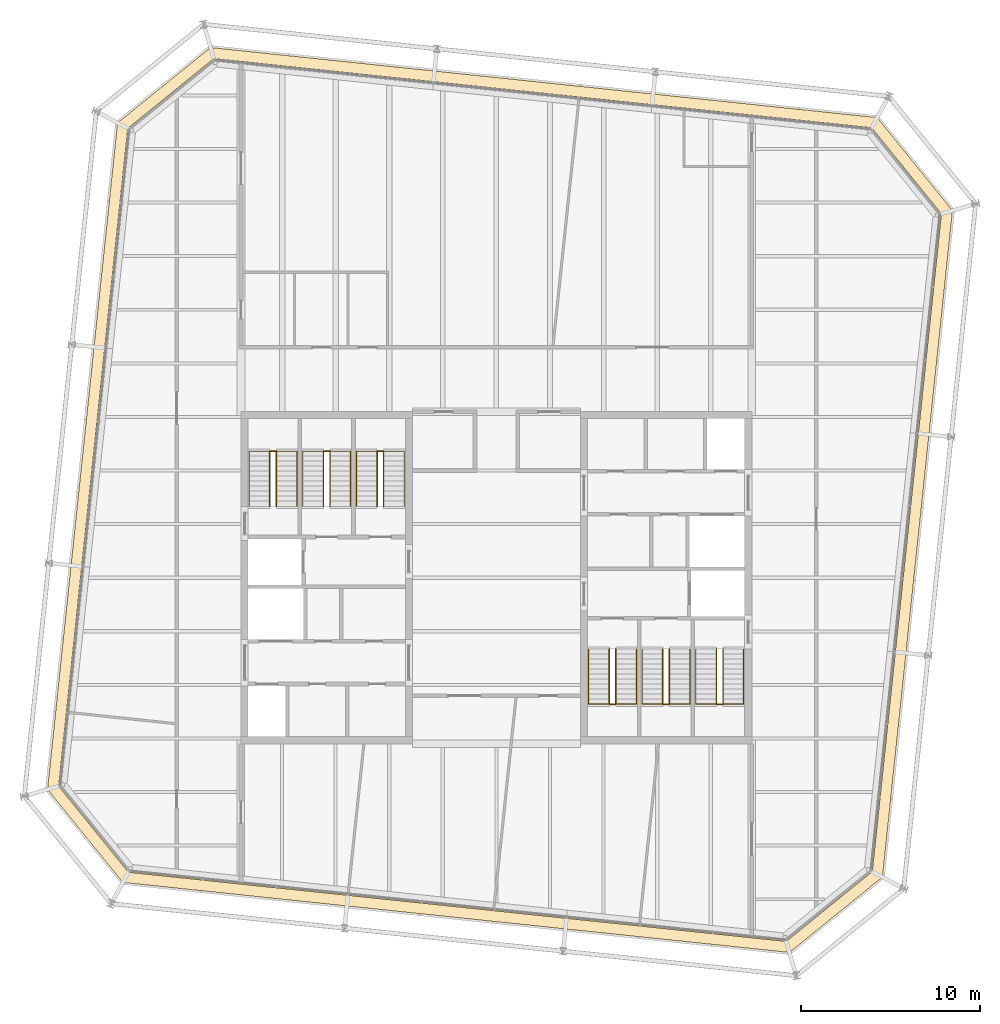
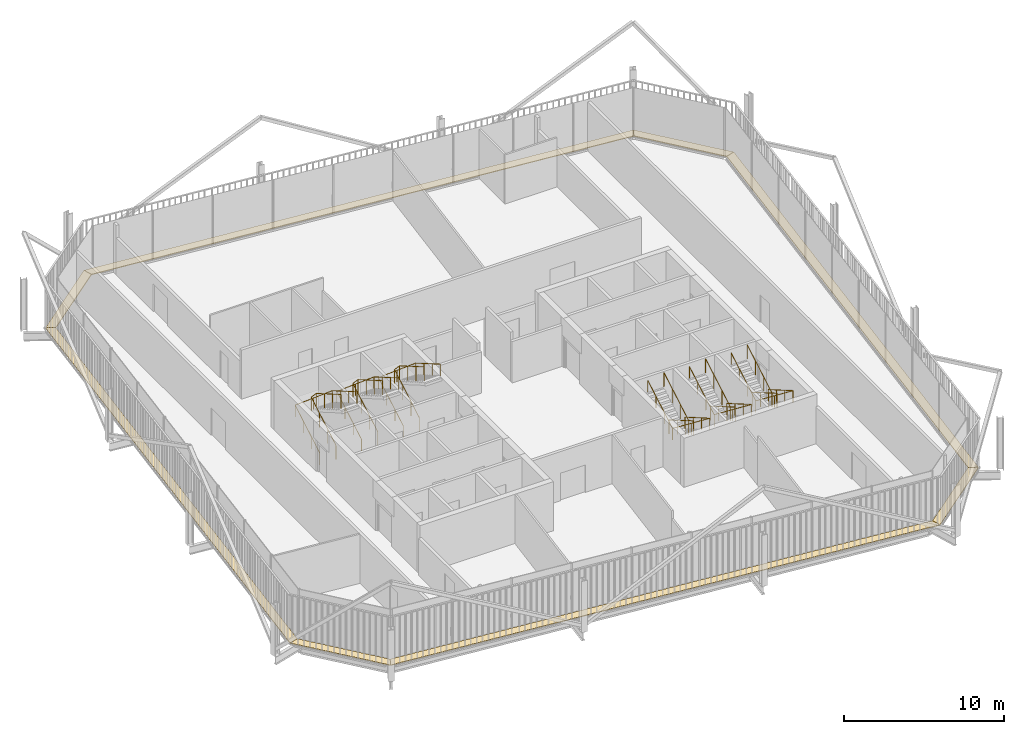
# One storey, part 21 of 21: 12 railings, 8 coverings.
"""IFC4 building model written with IfcOpenShell, lengths in metres."""

from ifc_helpers import new_model, si_unit, direction, frame, origin, origin_2d, place, context, subcontext, project, spatial, polyline, circle, outline, extrude, material, layer, layer_set, type_object, element, save


model = new_model("IFC4")

# Units and contexts
model_context = context("Model", 3, precision=1e-05, world=origin(), true_north=direction((0.0, 1.0)))
body_context = subcontext(model_context, "Body", "Model", "MODEL_VIEW")
ifc_project = project(units=[si_unit("LENGTHUNIT", "METRE"), si_unit("AREAUNIT", "SQUARE_METRE"), si_unit("VOLUMEUNIT", "CUBIC_METRE"), si_unit("PLANEANGLEUNIT", "RADIAN"), si_unit("MASSUNIT", "GRAM", prefix="KILO")], contexts=[model_context])

# Site, building, storey
site_placement = place(None, origin())
site = spatial("IfcSite", under=ifc_project, at=site_placement, CompositionType="ELEMENT")
building_placement = place(site_placement, origin())
building = spatial("IfcBuilding", under=site, at=building_placement, Name="Millrace Tower", CompositionType="ELEMENT")
storey_placement = place(building_placement, frame((0.0, 0.0, 291.60009765625)))
storey = spatial("IfcBuildingStorey", under=building, at=storey_placement, Name="L67", CompositionType="ELEMENT", Elevation=291.60009765625)

# Coverings
ifc_material_1 = material(Name="Steel ASTM A36", Category="steel")
ifc_layer = layer(ifc_material_1, 0.050048828125)
ifc_layer_set = layer_set([ifc_layer], Name="Steel ASTM A36")
covering_type = type_object("IfcCoveringType", Name="CAVITY CATWALK steel grating", PredefinedType="FLOORING", material=ifc_layer_set)
placement = place(storey_placement, frame((0.0, 0.0, 0.099853515625)))
element("IfcCovering", 1, at=placement, inside=storey, type_object=covering_type, Name="Cavity catwalk grating E-F01 L67 1", PredefinedType="FLOORING", context=body_context, shape_type="SweptSolid", body=[
    extrude(outline(polyline([(-25.13232421875, -11.8515625), (-20.914306640625, -17.060302734375), (-20.6044921875, -16.489501953125), (-24.509521484375, -11.6669921875), (-25.13232421875, -11.8515625)])), origin(), (0.0, 0.0, 1.0), 0.050048828125),
])
element("IfcCovering", 2, at=placement, inside=storey, type_object=covering_type, Name="Cavity catwalk grating E-F02 L67 1", PredefinedType="FLOORING", context=body_context, shape_type="SweptSolid", body=[
    extrude(outline(polyline([(-20.914306640625, -17.060302734375), (16.4013671875, -20.982177734375), (16.217041015625, -20.359619140625), (-20.6044921875, -16.489501953125), (-20.914306640625, -17.060302734375)])), origin(), (0.0, 0.0, 1.0), 0.050048828125),
])
element("IfcCovering", 3, at=placement, inside=storey, type_object=covering_type, Name="Cavity catwalk grating E-F03 L67 1", PredefinedType="FLOORING", context=body_context, shape_type="SweptSolid", body=[
    extrude(outline(polyline([(16.4013671875, -20.982177734375), (21.6103515625, -16.764404296875), (21.03955078125, -16.454345703125), (16.217041015625, -20.359619140625), (16.4013671875, -20.982177734375)])), origin(), (0.0, 0.0, 1.0), 0.050048828125),
])
element("IfcCovering", 4, at=placement, inside=storey, type_object=covering_type, Name="Cavity catwalk grating E-F04 L67 1", PredefinedType="FLOORING", context=body_context, shape_type="SweptSolid", body=[
    extrude(outline(polyline([(21.6103515625, -16.764404296875), (25.5322265625, 20.551513671875), (24.90966796875, 20.366943359375), (21.03955078125, -16.454345703125), (21.6103515625, -16.764404296875)])), origin(), (0.0, 0.0, 1.0), 0.050048828125),
])
element("IfcCovering", 5, at=placement, inside=storey, type_object=covering_type, Name="Cavity catwalk grating E-F05 L67 1", PredefinedType="FLOORING", context=body_context, shape_type="SweptSolid", body=[
    extrude(outline(polyline([(25.5322265625, 20.551513671875), (21.314208984375, 25.76025390625), (21.00439453125, 25.189453125), (24.90966796875, 20.366943359375), (25.5322265625, 20.551513671875)])), origin(), (0.0, 0.0, 1.0), 0.050048828125),
])
element("IfcCovering", 6, at=placement, inside=storey, type_object=covering_type, Name="Cavity catwalk grating E-F06 L67 1", PredefinedType="FLOORING", context=body_context, shape_type="SweptSolid", body=[
    extrude(outline(polyline([(21.314208984375, 25.76025390625), (-16.00146484375, 29.682373046875), (-15.817138671875, 29.0595703125), (21.00439453125, 25.189453125), (21.314208984375, 25.76025390625)])), origin(), (0.0, 0.0, 1.0), 0.050048828125),
])
element("IfcCovering", 7, at=placement, inside=storey, type_object=covering_type, Name="Cavity catwalk grating E-F07 L67 1", PredefinedType="FLOORING", context=body_context, shape_type="SweptSolid", body=[
    extrude(outline(polyline([(-16.00146484375, 29.682373046875), (-21.210205078125, 25.46435546875), (-20.639404296875, 25.154541015625), (-15.817138671875, 29.0595703125), (-16.00146484375, 29.682373046875)])), origin(), (0.0, 0.0, 1.0), 0.050048828125),
])
element("IfcCovering", 8, at=placement, inside=storey, type_object=covering_type, Name="Cavity catwalk grating E-F08 L67 1", PredefinedType="FLOORING", context=body_context, shape_type="SweptSolid", body=[
    extrude(outline(polyline([(-21.210205078125, 25.46435546875), (-25.13232421875, -11.8515625), (-24.509521484375, -11.6669921875), (-20.639404296875, 25.154541015625), (-21.210205078125, 25.46435546875)])), origin(), (0.0, 0.0, 1.0), 0.050048828125),
])

# Railings
ifc_material_2 = material(Name="Stainless steel ASTM A240 type 316", Category="steel")
railing_type_1 = type_object("IfcRailingType", Name="Stair guard 1100", PredefinedType="GUARDRAIL", material=ifc_material_2)
for number, where, name in (
    (9, (-12.679931640625, 4.0, 0.162353515625), "Stair guard 1 W L67"),
    (10, (-9.679931640625, 4.0, 0.162353515625), "Stair guard 2 W L67"),
    (11, (-6.679931640625, 4.0, 0.162353515625), "Stair guard 3 W L67"),
):
    element("IfcRailing", number, at=place(storey_placement, frame(where)), inside=storey, type_object=railing_type_1, Name=name, PredefinedType="GUARDRAIL", context=body_context, shape_type="SweptSolid", body=[
        extrude(circle(Radius=0.02392578125, at=origin_2d()), frame((0.0, 0.0, 1.076171875), z_axis=(0.0, 0.864890721111, 0.501960198159), x_axis=(-1.0, 0.0, 0.0)), (0.0, 0.0, 1.0), 3.561279296875),
        extrude(circle(Radius=0.02392578125, at=origin_2d()), frame((0.0, 3.080078125, 2.86376953125), z_axis=(0.91152767309, 0.0, 0.411238739895), x_axis=(0.0, 1.0, 0.0)), (0.0, 0.0, 1.0), 0.394775390625),
        extrude(circle(Radius=0.02392578125, at=origin_2d()), frame((0.35986328125, 3.080078125, 3.02587890625), z_axis=(0.0, -0.864890721111, 0.501960198159), x_axis=(1.0, 0.0, 0.0)), (0.0, 0.0, 1.0), 3.561279296875),
        extrude(circle(Radius=0.02099609375, at=origin_2d()), origin(), (0.0, 0.0, 1.0), 1.052001953125),
        extrude(circle(Radius=0.02099609375, at=origin_2d()), frame((0.0, 1.026611328125, 0.595947265625)), (0.0, 0.0, 1.0), 1.052001953125),
        extrude(circle(Radius=0.02099609375, at=origin_2d()), frame((0.0, 2.053466796875, 1.191650390625)), (0.0, 0.0, 1.0), 1.052001953125),
        extrude(circle(Radius=0.02099609375, at=origin_2d()), frame((0.0, 3.080078125, 1.78759765625)), (0.0, 0.0, 1.0), 1.052001953125),
        extrude(circle(Radius=0.02099609375, at=origin_2d()), frame((0.35986328125, 3.080078125, 1.949951171875)), (0.0, 0.0, 1.0), 1.052001953125),
        extrude(circle(Radius=0.02099609375, at=origin_2d()), frame((0.35986328125, 2.053466796875, 2.5458984375)), (0.0, 0.0, 1.0), 1.052001953125),
        extrude(circle(Radius=0.02099609375, at=origin_2d()), frame((0.35986328125, 1.026611328125, 3.1416015625)), (0.0, 0.0, 1.0), 1.052001953125),
        extrude(circle(Radius=0.02099609375, at=origin_2d()), frame((0.35986328125, 0.0, 3.737548828125)), (0.0, 0.0, 1.0), 1.052001953125),
    ])
for number, where, name in (
    (12, (12.679931640625, -4.0, 0.162353515625), "Stair guard 1 E L67"),
    (13, (9.679931640625, -4.0, 0.162353515625), "Stair guard 2 E L67"),
    (14, (6.679931640625, -4.0, 0.162353515625), "Stair guard 3 E L67"),
):
    element("IfcRailing", number, at=place(storey_placement, frame(where)), inside=storey, type_object=railing_type_1, Name=name, PredefinedType="GUARDRAIL", context=body_context, shape_type="SweptSolid", body=[
        extrude(circle(Radius=0.02392578125, at=origin_2d()), frame((0.0, 0.0, 1.076171875), z_axis=(0.0, -0.864890721111, 0.501960198159), x_axis=(1.0, 0.0, 0.0)), (0.0, 0.0, 1.0), 3.561279296875),
        extrude(circle(Radius=0.02392578125, at=origin_2d()), frame((0.0, -3.080078125, 2.86376953125), z_axis=(-0.91152767309, 0.0, 0.411238739895), x_axis=(0.0, -1.0, 0.0)), (0.0, 0.0, 1.0), 0.394775390625),
        extrude(circle(Radius=0.02392578125, at=origin_2d()), frame((-0.35986328125, -3.080078125, 3.02587890625), z_axis=(0.0, 0.864890721111, 0.501960198159), x_axis=(-1.0, 0.0, 0.0)), (0.0, 0.0, 1.0), 3.561279296875),
        extrude(circle(Radius=0.02099609375, at=origin_2d()), origin(), (0.0, 0.0, 1.0), 1.052001953125),
        extrude(circle(Radius=0.02099609375, at=origin_2d()), frame((0.0, -1.026611328125, 0.595947265625)), (0.0, 0.0, 1.0), 1.052001953125),
        extrude(circle(Radius=0.02099609375, at=origin_2d()), frame((0.0, -2.053466796875, 1.191650390625)), (0.0, 0.0, 1.0), 1.052001953125),
        extrude(circle(Radius=0.02099609375, at=origin_2d()), frame((0.0, -3.080078125, 1.78759765625)), (0.0, 0.0, 1.0), 1.052001953125),
        extrude(circle(Radius=0.02099609375, at=origin_2d()), frame((-0.35986328125, -3.080078125, 1.949951171875)), (0.0, 0.0, 1.0), 1.052001953125),
        extrude(circle(Radius=0.02099609375, at=origin_2d()), frame((-0.35986328125, -2.053466796875, 2.5458984375)), (0.0, 0.0, 1.0), 1.052001953125),
        extrude(circle(Radius=0.02099609375, at=origin_2d()), frame((-0.35986328125, -1.026611328125, 3.1416015625)), (0.0, 0.0, 1.0), 1.052001953125),
        extrude(circle(Radius=0.02099609375, at=origin_2d()), frame((-0.35986328125, 0.0, 3.737548828125)), (0.0, 0.0, 1.0), 1.052001953125),
    ])
ifc_material_3 = material(Name="Stainless steel ASTM A240 type 316", Category="steel")
railing_type_2 = type_object("IfcRailingType", Name="Stair handrail 900", PredefinedType="HANDRAIL", material=ifc_material_3)
railing_1_placement = place(storey_placement, frame((-13.840087890625, 4.0, 0.162353515625)))
element("IfcRailing", 15, at=railing_1_placement, inside=storey, type_object=railing_type_2, Name="Stair handrail 1 W L67", PredefinedType="HANDRAIL", context=body_context, shape_type="SweptSolid", body=[
    extrude(circle(Radius=0.02392578125, at=origin_2d()), frame((0.0, 0.0, 0.8759765625), z_axis=(0.0, 0.864890721111, 0.501960198159), x_axis=(-1.0, 0.0, 0.0)), (0.0, 0.0, 1.0), 3.561279296875),
    extrude(circle(Radius=0.02392578125, at=origin_2d()), frame((0.0, 3.080078125, 2.66357421875), z_axis=(0.998170326313, 0.0, 0.06046486309), x_axis=(0.0, 1.0, 0.0)), (0.0, 0.0, 1.0), 2.68505859375),
    extrude(circle(Radius=0.02392578125, at=origin_2d()), frame((2.68017578125, 3.080078125, 2.82568359375), z_axis=(0.0, -0.864890721111, 0.501960198159), x_axis=(1.0, 0.0, 0.0)), (0.0, 0.0, 1.0), 3.561279296875),
    extrude(circle(Radius=0.02099609375, at=origin_2d()), origin(), (0.0, 0.0, 1.0), 0.851806640625),
    extrude(circle(Radius=0.02099609375, at=origin_2d()), frame((0.0, 1.026611328125, 0.595947265625)), (0.0, 0.0, 1.0), 0.851806640625),
    extrude(circle(Radius=0.02099609375, at=origin_2d()), frame((0.0, 2.053466796875, 1.191650390625)), (0.0, 0.0, 1.0), 0.851806640625),
    extrude(circle(Radius=0.02099609375, at=origin_2d()), frame((0.0, 3.080078125, 1.78759765625)), (0.0, 0.0, 1.0), 0.851806640625),
    extrude(circle(Radius=0.02099609375, at=origin_2d()), frame((1.340087890625, 3.080078125, 1.86865234375)), (0.0, 0.0, 1.0), 0.851806640625),
    extrude(circle(Radius=0.02099609375, at=origin_2d()), frame((2.68017578125, 3.080078125, 1.949951171875)), (0.0, 0.0, 1.0), 0.851806640625),
    extrude(circle(Radius=0.02099609375, at=origin_2d()), frame((2.68017578125, 2.053466796875, 2.5458984375)), (0.0, 0.0, 1.0), 0.851806640625),
    extrude(circle(Radius=0.02099609375, at=origin_2d()), frame((2.68017578125, 1.026611328125, 3.1416015625)), (0.0, 0.0, 1.0), 0.851806640625),
    extrude(circle(Radius=0.02099609375, at=origin_2d()), frame((2.68017578125, 0.0, 3.737548828125)), (0.0, 0.0, 1.0), 0.851806640625),
])
railing_2_placement = place(storey_placement, frame((-10.840087890625, 4.0, 0.162353515625)))
element("IfcRailing", 16, at=railing_2_placement, inside=storey, type_object=railing_type_2, Name="Stair handrail 2 W L67", PredefinedType="HANDRAIL", context=body_context, shape_type="SweptSolid", body=[
    extrude(circle(Radius=0.02392578125, at=origin_2d()), frame((0.0, 0.0, 0.8759765625), z_axis=(0.0, 0.864890721111, 0.501960198159), x_axis=(-1.0, 0.0, 0.0)), (0.0, 0.0, 1.0), 3.561279296875),
    extrude(circle(Radius=0.02392578125, at=origin_2d()), frame((0.0, 3.080078125, 2.66357421875), z_axis=(0.998170326313, 0.0, 0.06046486309), x_axis=(0.0, 1.0, 0.0)), (0.0, 0.0, 1.0), 2.68505859375),
    extrude(circle(Radius=0.02392578125, at=origin_2d()), frame((2.68017578125, 3.080078125, 2.82568359375), z_axis=(0.0, -0.864890721111, 0.501960198159), x_axis=(1.0, 0.0, 0.0)), (0.0, 0.0, 1.0), 3.561279296875),
    extrude(circle(Radius=0.02099609375, at=origin_2d()), origin(), (0.0, 0.0, 1.0), 0.851806640625),
    extrude(circle(Radius=0.02099609375, at=origin_2d()), frame((0.0, 1.026611328125, 0.595947265625)), (0.0, 0.0, 1.0), 0.851806640625),
    extrude(circle(Radius=0.02099609375, at=origin_2d()), frame((0.0, 2.053466796875, 1.191650390625)), (0.0, 0.0, 1.0), 0.851806640625),
    extrude(circle(Radius=0.02099609375, at=origin_2d()), frame((0.0, 3.080078125, 1.78759765625)), (0.0, 0.0, 1.0), 0.851806640625),
    extrude(circle(Radius=0.02099609375, at=origin_2d()), frame((1.340087890625, 3.080078125, 1.86865234375)), (0.0, 0.0, 1.0), 0.851806640625),
    extrude(circle(Radius=0.02099609375, at=origin_2d()), frame((2.68017578125, 3.080078125, 1.949951171875)), (0.0, 0.0, 1.0), 0.851806640625),
    extrude(circle(Radius=0.02099609375, at=origin_2d()), frame((2.68017578125, 2.053466796875, 2.5458984375)), (0.0, 0.0, 1.0), 0.851806640625),
    extrude(circle(Radius=0.02099609375, at=origin_2d()), frame((2.68017578125, 1.026611328125, 3.1416015625)), (0.0, 0.0, 1.0), 0.851806640625),
    extrude(circle(Radius=0.02099609375, at=origin_2d()), frame((2.68017578125, 0.0, 3.737548828125)), (0.0, 0.0, 1.0), 0.851806640625),
])
railing_3_placement = place(storey_placement, frame((-7.840087890625, 4.0, 0.162353515625)))
element("IfcRailing", 17, at=railing_3_placement, inside=storey, type_object=railing_type_2, Name="Stair handrail 3 W L67", PredefinedType="HANDRAIL", context=body_context, shape_type="SweptSolid", body=[
    extrude(circle(Radius=0.02392578125, at=origin_2d()), frame((0.0, 0.0, 0.8759765625), z_axis=(0.0, 0.864890721111, 0.501960198159), x_axis=(-1.0, 0.0, 0.0)), (0.0, 0.0, 1.0), 3.561279296875),
    extrude(circle(Radius=0.02392578125, at=origin_2d()), frame((0.0, 3.080078125, 2.66357421875), z_axis=(0.998170326313, 0.0, 0.06046486309), x_axis=(0.0, 1.0, 0.0)), (0.0, 0.0, 1.0), 2.68505859375),
    extrude(circle(Radius=0.02392578125, at=origin_2d()), frame((2.68017578125, 3.080078125, 2.82568359375), z_axis=(0.0, -0.864890721111, 0.501960198159), x_axis=(1.0, 0.0, 0.0)), (0.0, 0.0, 1.0), 3.561279296875),
    extrude(circle(Radius=0.02099609375, at=origin_2d()), origin(), (0.0, 0.0, 1.0), 0.851806640625),
    extrude(circle(Radius=0.02099609375, at=origin_2d()), frame((0.0, 1.026611328125, 0.595947265625)), (0.0, 0.0, 1.0), 0.851806640625),
    extrude(circle(Radius=0.02099609375, at=origin_2d()), frame((0.0, 2.053466796875, 1.191650390625)), (0.0, 0.0, 1.0), 0.851806640625),
    extrude(circle(Radius=0.02099609375, at=origin_2d()), frame((0.0, 3.080078125, 1.78759765625)), (0.0, 0.0, 1.0), 0.851806640625),
    extrude(circle(Radius=0.02099609375, at=origin_2d()), frame((1.340087890625, 3.080078125, 1.86865234375)), (0.0, 0.0, 1.0), 0.851806640625),
    extrude(circle(Radius=0.02099609375, at=origin_2d()), frame((2.68017578125, 3.080078125, 1.949951171875)), (0.0, 0.0, 1.0), 0.851806640625),
    extrude(circle(Radius=0.02099609375, at=origin_2d()), frame((2.68017578125, 2.053466796875, 2.5458984375)), (0.0, 0.0, 1.0), 0.851806640625),
    extrude(circle(Radius=0.02099609375, at=origin_2d()), frame((2.68017578125, 1.026611328125, 3.1416015625)), (0.0, 0.0, 1.0), 0.851806640625),
    extrude(circle(Radius=0.02099609375, at=origin_2d()), frame((2.68017578125, 0.0, 3.737548828125)), (0.0, 0.0, 1.0), 0.851806640625),
])
railing_4_placement = place(storey_placement, frame((13.840087890625, -4.0, 0.162353515625)))
element("IfcRailing", 18, at=railing_4_placement, inside=storey, type_object=railing_type_2, Name="Stair handrail 1 E L67", PredefinedType="HANDRAIL", context=body_context, shape_type="SweptSolid", body=[
    extrude(circle(Radius=0.02392578125, at=origin_2d()), frame((0.0, 0.0, 0.8759765625), z_axis=(0.0, -0.864890721111, 0.501960198159), x_axis=(1.0, 0.0, 0.0)), (0.0, 0.0, 1.0), 3.561279296875),
    extrude(circle(Radius=0.02392578125, at=origin_2d()), frame((0.0, -3.080078125, 2.66357421875), z_axis=(-0.998170326313, 0.0, 0.06046486309), x_axis=(0.0, -1.0, 0.0)), (0.0, 0.0, 1.0), 2.68505859375),
    extrude(circle(Radius=0.02392578125, at=origin_2d()), frame((-2.68017578125, -3.080078125, 2.82568359375), z_axis=(0.0, 0.864890721111, 0.501960198159), x_axis=(-1.0, 0.0, 0.0)), (0.0, 0.0, 1.0), 3.561279296875),
    extrude(circle(Radius=0.02099609375, at=origin_2d()), origin(), (0.0, 0.0, 1.0), 0.851806640625),
    extrude(circle(Radius=0.02099609375, at=origin_2d()), frame((0.0, -1.026611328125, 0.595947265625)), (0.0, 0.0, 1.0), 0.851806640625),
    extrude(circle(Radius=0.02099609375, at=origin_2d()), frame((0.0, -2.053466796875, 1.191650390625)), (0.0, 0.0, 1.0), 0.851806640625),
    extrude(circle(Radius=0.02099609375, at=origin_2d()), frame((0.0, -3.080078125, 1.78759765625)), (0.0, 0.0, 1.0), 0.851806640625),
    extrude(circle(Radius=0.02099609375, at=origin_2d()), frame((-1.340087890625, -3.080078125, 1.86865234375)), (0.0, 0.0, 1.0), 0.851806640625),
    extrude(circle(Radius=0.02099609375, at=origin_2d()), frame((-2.68017578125, -3.080078125, 1.949951171875)), (0.0, 0.0, 1.0), 0.851806640625),
    extrude(circle(Radius=0.02099609375, at=origin_2d()), frame((-2.68017578125, -2.053466796875, 2.5458984375)), (0.0, 0.0, 1.0), 0.851806640625),
    extrude(circle(Radius=0.02099609375, at=origin_2d()), frame((-2.68017578125, -1.026611328125, 3.1416015625)), (0.0, 0.0, 1.0), 0.851806640625),
    extrude(circle(Radius=0.02099609375, at=origin_2d()), frame((-2.68017578125, 0.0, 3.737548828125)), (0.0, 0.0, 1.0), 0.851806640625),
])
railing_5_placement = place(storey_placement, frame((10.840087890625, -4.0, 0.162353515625)))
element("IfcRailing", 19, at=railing_5_placement, inside=storey, type_object=railing_type_2, Name="Stair handrail 2 E L67", PredefinedType="HANDRAIL", context=body_context, shape_type="SweptSolid", body=[
    extrude(circle(Radius=0.02392578125, at=origin_2d()), frame((0.0, 0.0, 0.8759765625), z_axis=(0.0, -0.864890721111, 0.501960198159), x_axis=(1.0, 0.0, 0.0)), (0.0, 0.0, 1.0), 3.561279296875),
    extrude(circle(Radius=0.02392578125, at=origin_2d()), frame((0.0, -3.080078125, 2.66357421875), z_axis=(-0.998170326313, 0.0, 0.06046486309), x_axis=(0.0, -1.0, 0.0)), (0.0, 0.0, 1.0), 2.68505859375),
    extrude(circle(Radius=0.02392578125, at=origin_2d()), frame((-2.68017578125, -3.080078125, 2.82568359375), z_axis=(0.0, 0.864890721111, 0.501960198159), x_axis=(-1.0, 0.0, 0.0)), (0.0, 0.0, 1.0), 3.561279296875),
    extrude(circle(Radius=0.02099609375, at=origin_2d()), origin(), (0.0, 0.0, 1.0), 0.851806640625),
    extrude(circle(Radius=0.02099609375, at=origin_2d()), frame((0.0, -1.026611328125, 0.595947265625)), (0.0, 0.0, 1.0), 0.851806640625),
    extrude(circle(Radius=0.02099609375, at=origin_2d()), frame((0.0, -2.053466796875, 1.191650390625)), (0.0, 0.0, 1.0), 0.851806640625),
    extrude(circle(Radius=0.02099609375, at=origin_2d()), frame((0.0, -3.080078125, 1.78759765625)), (0.0, 0.0, 1.0), 0.851806640625),
    extrude(circle(Radius=0.02099609375, at=origin_2d()), frame((-1.340087890625, -3.080078125, 1.86865234375)), (0.0, 0.0, 1.0), 0.851806640625),
    extrude(circle(Radius=0.02099609375, at=origin_2d()), frame((-2.68017578125, -3.080078125, 1.949951171875)), (0.0, 0.0, 1.0), 0.851806640625),
    extrude(circle(Radius=0.02099609375, at=origin_2d()), frame((-2.68017578125, -2.053466796875, 2.5458984375)), (0.0, 0.0, 1.0), 0.851806640625),
    extrude(circle(Radius=0.02099609375, at=origin_2d()), frame((-2.68017578125, -1.026611328125, 3.1416015625)), (0.0, 0.0, 1.0), 0.851806640625),
    extrude(circle(Radius=0.02099609375, at=origin_2d()), frame((-2.68017578125, 0.0, 3.737548828125)), (0.0, 0.0, 1.0), 0.851806640625),
])
railing_6_placement = place(storey_placement, frame((7.840087890625, -4.0, 0.162353515625)))
element("IfcRailing", 20, at=railing_6_placement, inside=storey, type_object=railing_type_2, Name="Stair handrail 3 E L67", PredefinedType="HANDRAIL", context=body_context, shape_type="SweptSolid", body=[
    extrude(circle(Radius=0.02392578125, at=origin_2d()), frame((0.0, 0.0, 0.8759765625), z_axis=(0.0, -0.864890721111, 0.501960198159), x_axis=(1.0, 0.0, 0.0)), (0.0, 0.0, 1.0), 3.561279296875),
    extrude(circle(Radius=0.02392578125, at=origin_2d()), frame((0.0, -3.080078125, 2.66357421875), z_axis=(-0.998170326313, 0.0, 0.06046486309), x_axis=(0.0, -1.0, 0.0)), (0.0, 0.0, 1.0), 2.68505859375),
    extrude(circle(Radius=0.02392578125, at=origin_2d()), frame((-2.68017578125, -3.080078125, 2.82568359375), z_axis=(0.0, 0.864890721111, 0.501960198159), x_axis=(-1.0, 0.0, 0.0)), (0.0, 0.0, 1.0), 3.561279296875),
    extrude(circle(Radius=0.02099609375, at=origin_2d()), origin(), (0.0, 0.0, 1.0), 0.851806640625),
    extrude(circle(Radius=0.02099609375, at=origin_2d()), frame((0.0, -1.026611328125, 0.595947265625)), (0.0, 0.0, 1.0), 0.851806640625),
    extrude(circle(Radius=0.02099609375, at=origin_2d()), frame((0.0, -2.053466796875, 1.191650390625)), (0.0, 0.0, 1.0), 0.851806640625),
    extrude(circle(Radius=0.02099609375, at=origin_2d()), frame((0.0, -3.080078125, 1.78759765625)), (0.0, 0.0, 1.0), 0.851806640625),
    extrude(circle(Radius=0.02099609375, at=origin_2d()), frame((-1.340087890625, -3.080078125, 1.86865234375)), (0.0, 0.0, 1.0), 0.851806640625),
    extrude(circle(Radius=0.02099609375, at=origin_2d()), frame((-2.68017578125, -3.080078125, 1.949951171875)), (0.0, 0.0, 1.0), 0.851806640625),
    extrude(circle(Radius=0.02099609375, at=origin_2d()), frame((-2.68017578125, -2.053466796875, 2.5458984375)), (0.0, 0.0, 1.0), 0.851806640625),
    extrude(circle(Radius=0.02099609375, at=origin_2d()), frame((-2.68017578125, -1.026611328125, 3.1416015625)), (0.0, 0.0, 1.0), 0.851806640625),
    extrude(circle(Radius=0.02099609375, at=origin_2d()), frame((-2.68017578125, 0.0, 3.737548828125)), (0.0, 0.0, 1.0), 0.851806640625),
])

save(model, "model.ifc")
